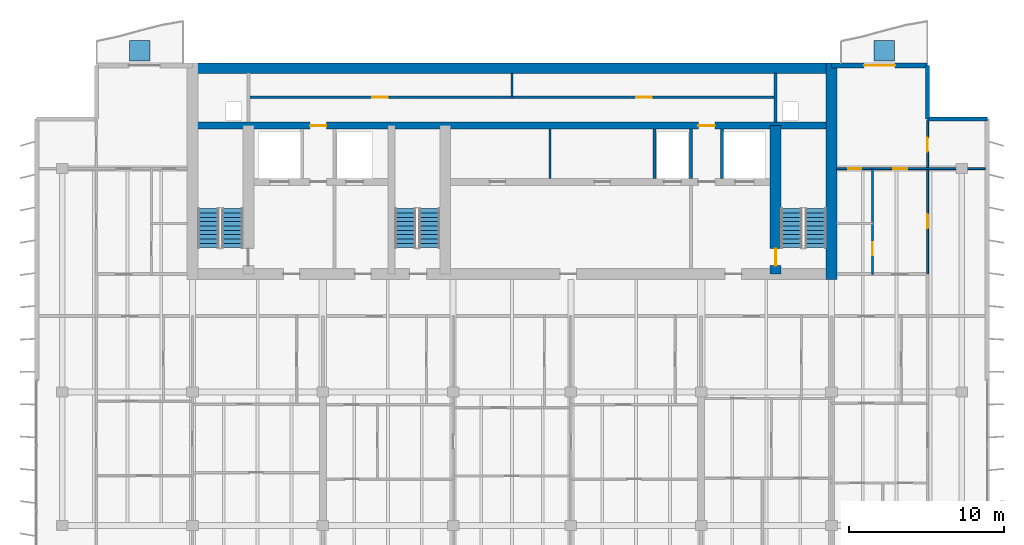
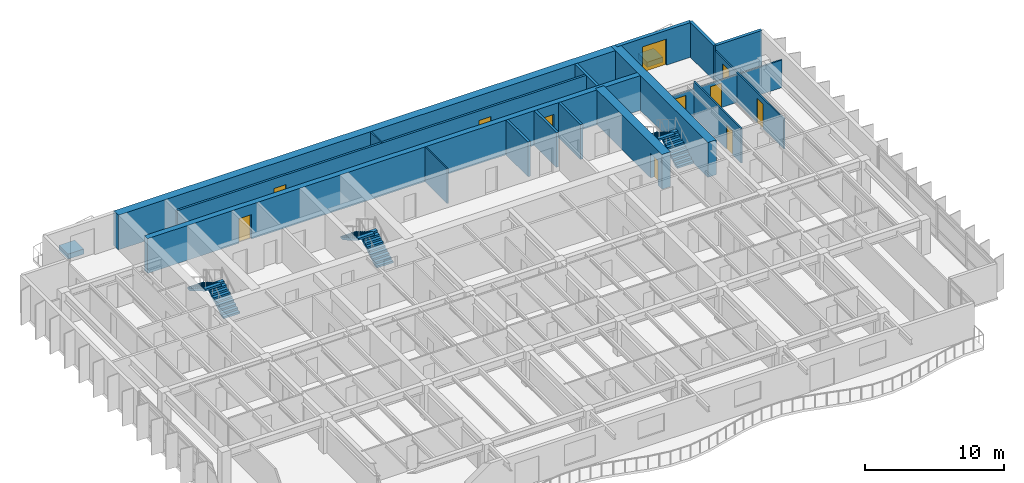
# One storey, part 12 of 17: 17 walls, 11 doors, 6 stair flights, 2 discrete accessories, 11 openings, 3 elements without a shape of their own.
"""IFC4 building model written with IfcOpenShell, lengths in metres."""

from ifc_helpers import new_model, si_unit, direction, frame, frame_2d, origin, origin_2d, place, context, subcontext, project, spatial, polyline, rectangle, outline, extrude, material, layer, layer_set, type_object, element, fill, aggregate, save


model = new_model("IFC4")

# Units and contexts
model_context = context("Model", 3, precision=1e-05, world=origin(), true_north=direction((0.0, 1.0)))
body_context = subcontext(model_context, "Body", "Model", "MODEL_VIEW")
ifc_project = project(units=[si_unit("LENGTHUNIT", "METRE"), si_unit("AREAUNIT", "SQUARE_METRE"), si_unit("VOLUMEUNIT", "CUBIC_METRE"), si_unit("PLANEANGLEUNIT", "RADIAN"), si_unit("MASSUNIT", "GRAM", prefix="KILO")], contexts=[model_context])

# Site, building, storey
site_placement = place(None, origin())
site = spatial("IfcSite", under=ifc_project, at=site_placement, CompositionType="ELEMENT")
building_placement = place(site_placement, origin())
building = spatial("IfcBuilding", under=site, at=building_placement, Name="Caelmar Bay Residences", CompositionType="ELEMENT")
storey_placement = place(building_placement, frame((0.0, 0.0, 259.5)))
storey = spatial("IfcBuildingStorey", under=building, at=storey_placement, Name="L73", CompositionType="ELEMENT", Elevation=259.5)

# Wall
ifc_material_1 = material(Name="Concrete f'c 55 MPa (8,000 psi)", Category="concrete")
ifc_layer_1 = layer(ifc_material_1, 0.699951171875)
ifc_layer_set_1 = layer_set([ifc_layer_1], Name="Concrete f'c 55 MPa (8,000 psi)")
wall_type_1 = type_object("IfcWallType", Name="SW-COR-700", PredefinedType="SHEAR", material=ifc_layer_set_1)
wall_1_placement = place(storey_placement, frame((59.5, 36.64990234375, 0.0), z_axis=(0.0, 0.0, 1.0), x_axis=(0.0, 1.0, 0.0)))
element("IfcWall", 1, at=wall_1_placement, inside=storey, type_object=wall_type_1, Name="L73 Rear Core East Shear Wall", PredefinedType="SHEAR", context=body_context, shape_type="SweptSolid", body=[
    extrude(rectangle(XDim=13.9501953125, YDim=0.699951171875, at=frame_2d((6.97509765625, 0.0))), origin(), (0.0, 0.0, 1.0), 3.050048828125),
])

# Wall, opening, door
wall_2_placement = place(storey_placement, frame((55.89990234375, 37.0, 0.0), z_axis=(0.0, 0.0, 1.0), x_axis=(0.0, 1.0, 0.0)))
wall_2 = element("IfcWall", 2, at=wall_2_placement, inside=storey, type_object=wall_type_1, Name="L73 Core Structural Web Wall ST2W", PredefinedType="SHEAR", context=body_context, shape_type="SweptSolid", body=[
    extrude(rectangle(XDim=9.574951171875, YDim=0.699951171875, at=frame_2d((4.78759765625, 0.0))), origin(), (0.0, 0.0, 1.0), 3.050048828125),
])
opening_1_placement = place(wall_2_placement, frame((0.550048828125, 0.0, 0.0)))
opening_1 = element("IfcOpeningElement", 3, at=opening_1_placement, cuts=wall_2, Name="Opening D-L73-110", PredefinedType="OPENING", context=body_context, shape_type="SweptSolid", body=[
    extrude(rectangle(XDim=1.10009765625, YDim=2.14990234375, at=frame_2d((0.550048828125, 1.074951171875))), frame((0.0, 0.35986328125, 0.0), z_axis=(0.0, -1.0, 0.0), x_axis=(1.0, 0.0, 0.0)), (0.0, 0.0, 1.0), 0.719970703125),
])
ifc_material_2 = material(Name="Fire-rated steel and walnut architectural door assembly", Category="steel")
ifc_layer_2 = layer(ifc_material_2, 0.050048828125)
ifc_layer_set_2 = layer_set([ifc_layer_2], Name="Fire-rated steel and walnut architectural door assembly")
door_type_1 = type_object("IfcDoorType", Name="D-STAIR-1100", OperationType="NOTDEFINED", PredefinedType="DOOR", material=ifc_layer_set_2)
door_1_placement = place(opening_1_placement, origin())
door_1 = element("IfcDoor", 4, at=door_1_placement, inside=storey, type_object=door_type_1, Name="L73 Firefighting Lobby East Door", OperationType="SINGLE_SWING_LEFT", OverallHeight=2.14990234375, OverallWidth=1.10009765625, PredefinedType="DOOR", context=body_context, shape_type="SweptSolid", body=[
    extrude(rectangle(XDim=1.10009765625, YDim=2.14990234375, at=frame_2d((0.550048828125, 1.074951171875))), frame((0.0, 0.02490234375, 0.0), z_axis=(0.0, -1.0, 0.0), x_axis=(1.0, 0.0, 0.0)), (0.0, 0.0, 1.0), 0.050048828125),
])
fill(opening_1, door_1)

# Wall
ifc_layer_3 = layer(ifc_material_1, 0.64990234375)
ifc_layer_set_3 = layer_set([ifc_layer_3], Name="Concrete f'c 55 MPa (8,000 psi)")
wall_type_2 = type_object("IfcWallType", Name="SW-CORN-650", PredefinedType="SHEAR", material=ifc_layer_set_3)
wall_3_placement = place(storey_placement, frame((17.949951171875, 50.27490234375, 0.0), z_axis=(0.0, 0.0, 1.0), x_axis=(1.0, 0.0, 0.0)))
element("IfcWall", 5, at=wall_3_placement, inside=storey, type_object=wall_type_2, Name="L73 Rear Core North Shear Wall", PredefinedType="SHEAR", context=body_context, shape_type="SweptSolid", body=[
    extrude(rectangle(XDim=41.900146484375, YDim=0.64990234375, at=frame_2d((20.9501953125, 0.0))), origin(), (0.0, 0.0, 1.0), 3.050048828125),
])

# Wall, openings, doors
ifc_material_3 = material(Name="Concrete f'c 70 MPa (10,000 psi)", Category="concrete")
ifc_layer_4 = layer(ifc_material_3, 0.449951171875)
ifc_layer_set_4 = layer_set([ifc_layer_4], Name="Concrete f'c 70 MPa (10,000 psi)")
wall_type_3 = type_object("IfcWallType", Name="SW-WEB-450", PredefinedType="SHEAR", material=ifc_layer_set_4)
wall_4_placement = place(storey_placement, frame((18.300048828125, 46.574951171875, 0.0), z_axis=(0.0, 0.0, 1.0), x_axis=(1.0, 0.0, 0.0)))
wall_4 = element("IfcWall", 6, at=wall_4_placement, inside=storey, type_object=wall_type_3, Name="L73 Core Structural Web Wall SRVS", PredefinedType="SHEAR", context=body_context, shape_type="SweptSolid", body=[
    extrude(rectangle(XDim=41.199951171875, YDim=0.449951171875, at=frame_2d((20.60009765625, 0.0))), origin(), (0.0, 0.0, 1.0), 3.050048828125),
])
opening_2_placement = place(wall_4_placement, frame((7.574951171875, 0.0, 0.0)))
opening_2 = element("IfcOpeningElement", 7, at=opening_2_placement, cuts=wall_4, Name="Opening D-L73-116", PredefinedType="OPENING", context=body_context, shape_type="SweptSolid", body=[
    extrude(rectangle(XDim=1.050048828125, YDim=2.14990234375, at=frame_2d((0.52490234375, 1.074951171875))), frame((0.0, 0.23486328125, 0.0), z_axis=(0.0, -1.0, 0.0), x_axis=(1.0, 0.0, 0.0)), (0.0, 0.0, 1.0), 0.469970703125),
])
opening_3_placement = place(wall_4_placement, frame((32.625, 0.0, 0.0)))
opening_3 = element("IfcOpeningElement", 8, at=opening_3_placement, cuts=wall_4, Name="Opening D-L73-117", PredefinedType="OPENING", context=body_context, shape_type="SweptSolid", body=[
    extrude(rectangle(XDim=1.050048828125, YDim=2.14990234375, at=frame_2d((0.52490234375, 1.074951171875))), frame((0.0, 0.23486328125, 0.0), z_axis=(0.0, -1.0, 0.0), x_axis=(1.0, 0.0, 0.0)), (0.0, 0.0, 1.0), 0.469970703125),
])
ifc_layer_5 = layer(ifc_material_2, 0.050048828125)
ifc_layer_set_5 = layer_set([ifc_layer_5], Name="Fire-rated steel and walnut architectural door assembly")
door_type_2 = type_object("IfcDoorType", Name="D-FSAE-1050", OperationType="NOTDEFINED", PredefinedType="DOOR", material=ifc_layer_set_5)
door_2_placement = place(opening_2_placement, origin())
door_2 = element("IfcDoor", 9, at=door_2_placement, inside=storey, type_object=door_type_2, Name="L73 Core Service Corridor Door", OperationType="SINGLE_SWING_LEFT", OverallHeight=2.14990234375, OverallWidth=1.050048828125, PredefinedType="DOOR", context=body_context, shape_type="SweptSolid", body=[
    extrude(rectangle(XDim=1.050048828125, YDim=2.14990234375, at=frame_2d((0.52490234375, 1.074951171875))), frame((0.0, 0.02490234375, 0.0), z_axis=(0.0, -1.0, 0.0), x_axis=(1.0, 0.0, 0.0)), (0.0, 0.0, 1.0), 0.050048828125),
])
fill(opening_2, door_2)
door_3_placement = place(opening_3_placement, origin())
door_3 = element("IfcDoor", 10, at=door_3_placement, inside=storey, type_object=door_type_2, Name="L73 Core Service Corridor Door", OperationType="SINGLE_SWING_RIGHT", OverallHeight=2.14990234375, OverallWidth=1.050048828125, PredefinedType="DOOR", context=body_context, shape_type="SweptSolid", body=[
    extrude(rectangle(XDim=1.050048828125, YDim=2.14990234375, at=frame_2d((0.52490234375, 1.074951171875))), frame((0.0, 0.02490234375, 0.0), z_axis=(0.0, -1.0, 0.0), x_axis=(1.0, 0.0, 0.0)), (0.0, 0.0, 1.0), 0.050048828125),
])
fill(opening_3, door_3)

ifc_material_4 = material(Name="Double-stud acoustic fire-rated gypsum partition 180 mm")
ifc_layer_6 = layer(ifc_material_4, 0.179931640625)
ifc_layer_set_6 = layer_set([ifc_layer_6], Name="Double-stud acoustic fire-rated gypsum partition 180 mm")
wall_type_4 = type_object("IfcWallType", Name="W-COR-200", PredefinedType="PARTITIONING", material=ifc_layer_set_6)
wall_5_placement = place(storey_placement, frame((21.89990234375, 48.39990234375, 0.0), z_axis=(0.0, 0.0, 1.0), x_axis=(1.0, 0.0, 0.0)))
wall_5 = element("IfcWall", 11, at=wall_5_placement, inside=storey, type_object=wall_type_4, Name="L73 Partition Wall H095", PredefinedType="PARTITIONING", context=body_context, shape_type="SweptSolid", body=[
    extrude(rectangle(XDim=34.0, YDim=0.179931640625, at=frame_2d((17.0, 0.0))), origin(), (0.0, 0.0, 1.0), 3.050048828125),
])
opening_4_placement = place(wall_5_placement, frame((8.0, 0.0, 0.0)))
opening_4 = element("IfcOpeningElement", 12, at=opening_4_placement, cuts=wall_5, Name="Opening D-L73-118", PredefinedType="OPENING", context=body_context, shape_type="SweptSolid", body=[
    extrude(rectangle(XDim=1.0, YDim=2.199951171875, at=frame_2d((0.5, 1.10009765625))), frame((0.0, 0.099853515625, 0.0), z_axis=(0.0, -1.0, 0.0), x_axis=(1.0, 0.0, 0.0)), (0.0, 0.0, 1.0), 0.199951171875),
])
opening_5_placement = place(wall_5_placement, frame((25.0, 0.0, 0.0)))
opening_5 = element("IfcOpeningElement", 13, at=opening_5_placement, cuts=wall_5, Name="Opening D-L73-119", PredefinedType="OPENING", context=body_context, shape_type="SweptSolid", body=[
    extrude(rectangle(XDim=1.0, YDim=2.199951171875, at=frame_2d((0.5, 1.10009765625))), frame((0.0, 0.099853515625, 0.0), z_axis=(0.0, -1.0, 0.0), x_axis=(1.0, 0.0, 0.0)), (0.0, 0.0, 1.0), 0.199951171875),
])
ifc_layer_7 = layer(ifc_material_2, 0.050048828125)
ifc_layer_set_7 = layer_set([ifc_layer_7], Name="Fire-rated steel and walnut architectural door assembly")
door_type_3 = type_object("IfcDoorType", Name="D-UNIT-1000", OperationType="NOTDEFINED", PredefinedType="DOOR", material=ifc_layer_set_7)
door_4_placement = place(opening_4_placement, origin())
door_4 = element("IfcDoor", 14, at=door_4_placement, inside=storey, type_object=door_type_3, Name="L73 Building Management Office Door", OperationType="SINGLE_SWING_LEFT", OverallHeight=2.199951171875, OverallWidth=1.0, PredefinedType="DOOR", context=body_context, shape_type="SweptSolid", body=[
    extrude(rectangle(XDim=1.0, YDim=2.199951171875, at=frame_2d((0.5, 1.10009765625))), frame((0.0, 0.02490234375, 0.0), z_axis=(0.0, -1.0, 0.0), x_axis=(1.0, 0.0, 0.0)), (0.0, 0.0, 1.0), 0.050048828125),
])
fill(opening_4, door_4)
door_5_placement = place(opening_5_placement, origin())
door_5 = element("IfcDoor", 15, at=door_5_placement, inside=storey, type_object=door_type_3, Name="L73 Concierge Operations Office Door", OperationType="SINGLE_SWING_RIGHT", OverallHeight=2.199951171875, OverallWidth=1.0, PredefinedType="DOOR", context=body_context, shape_type="SweptSolid", body=[
    extrude(rectangle(XDim=1.0, YDim=2.199951171875, at=frame_2d((0.5, 1.10009765625))), frame((0.0, 0.02490234375, 0.0), z_axis=(0.0, -1.0, 0.0), x_axis=(1.0, 0.0, 0.0)), (0.0, 0.0, 1.0), 0.050048828125),
])
fill(opening_5, door_5)

# Walls
ifc_material_5 = material(Name="Precast concrete f'c 40 MPa (6,000 psi)", Category="concrete")
ifc_layer_8 = layer(ifc_material_5, 0.25)
ifc_layer_set_8 = layer_set([ifc_layer_8], Name="Precast concrete f'c 40 MPa (6,000 psi)")
wall_type_5 = type_object("IfcWallType", Name="W-EXT-250", PredefinedType="ELEMENTEDWALL", material=ifc_layer_set_8)
wall_6_placement = place(storey_placement, frame((65.699951171875, 50.449951171875, 0.0), z_axis=(0.0, 0.0, 1.0), x_axis=(0.0, -1.0, 0.0)))
element("IfcWall", 16, at=wall_6_placement, inside=storey, type_object=wall_type_5, Name="L73 NNE-V Notch Wall", PredefinedType="ELEMENTEDWALL", context=body_context, shape_type="SweptSolid", body=[
    extrude(rectangle(XDim=3.449951171875, YDim=0.25, at=frame_2d((1.72509765625, 0.0))), origin(), (0.0, 0.0, 1.0), 3.050048828125),
])
wall_7_placement = place(storey_placement, frame((65.699951171875, 47.0, 0.0), z_axis=(0.0, 0.0, 1.0), x_axis=(1.0, 0.0, 0.0)))
element("IfcWall", 17, at=wall_7_placement, inside=storey, type_object=wall_type_5, Name="L73 NNE-H Notch Wall", PredefinedType="ELEMENTEDWALL", context=body_context, shape_type="SweptSolid", body=[
    extrude(rectangle(XDim=3.85009765625, YDim=0.25, at=frame_2d((1.925048828125, 0.0))), origin(), (0.0, 0.0, 1.0), 3.050048828125),
])

# Wall, opening, door
ifc_layer_9 = layer(ifc_material_5, 0.300048828125)
ifc_layer_set_9 = layer_set([ifc_layer_9], Name="Precast concrete f'c 40 MPa (6,000 psi)")
wall_type_6 = type_object("IfcWallType", Name="W-EXT-300", PredefinedType="STANDARD", material=ifc_layer_set_9)
wall_8_placement = place(storey_placement, frame((59.5, 50.449951171875, 0.0), z_axis=(0.0, 0.0, 1.0), x_axis=(1.0, 0.0, 0.0)))
wall_8 = element("IfcWall", 18, at=wall_8_placement, inside=storey, type_object=wall_type_6, Name="L73 North-East Wing Exterior Wall", PredefinedType="STANDARD", context=body_context, shape_type="SweptSolid", body=[
    extrude(rectangle(XDim=6.199951171875, YDim=0.300048828125, at=frame_2d((3.10009765625, 0.0))), origin(), (0.0, 0.0, 1.0), 3.050048828125),
])
opening_6_placement = place(wall_8_placement, frame((2.10009765625, 0.0, 0.0)))
opening_6 = element("IfcOpeningElement", 19, at=opening_6_placement, cuts=wall_8, Name="Opening L73-BDNE", PredefinedType="OPENING", context=body_context, shape_type="SweptSolid", body=[
    extrude(rectangle(XDim=2.0, YDim=2.300048828125, at=frame_2d((1.0, 1.14990234375))), frame((0.0, 0.159912109375, 0.0), z_axis=(0.0, -1.0, 0.0), x_axis=(1.0, 0.0, 0.0)), (0.0, 0.0, 1.0), 0.320068359375),
])
ifc_material_6 = material(Name="Anodised bronze thermally broken sliding glass door", Category="glass")
ifc_layer_10 = layer(ifc_material_6, 0.050048828125)
ifc_layer_set_10 = layer_set([ifc_layer_10], Name="Anodised bronze thermally broken sliding glass door")
door_type_4 = type_object("IfcDoorType", Name="D-BAL-2000", OperationType="DOUBLE_DOOR_SLIDING", PredefinedType="DOOR", material=ifc_layer_set_10)
door_6_placement = place(opening_6_placement, origin())
door_6 = element("IfcDoor", 20, at=door_6_placement, inside=storey, type_object=door_type_4, Name="L73 North-East Balcony Door", OperationType="DOUBLE_DOOR_SLIDING", OverallHeight=2.300048828125, OverallWidth=2.0, PredefinedType="DOOR", context=body_context, shape_type="SweptSolid", body=[
    extrude(rectangle(XDim=2.0, YDim=2.300048828125, at=frame_2d((1.0, 1.14990234375))), frame((0.0, 0.02490234375, 0.0), z_axis=(0.0, -1.0, 0.0), x_axis=(1.0, 0.0, 0.0)), (0.0, 0.0, 1.0), 0.050048828125),
])
fill(opening_6, door_6)

# Walls
ifc_material_7 = material(Name="Fire-rated masonry and gypsum shaftliner assembly 200 mm", Category="masonry")
ifc_layer_11 = layer(ifc_material_7, 0.199951171875)
ifc_layer_set_11 = layer_set([ifc_layer_11], Name="Fire-rated masonry and gypsum shaftliner assembly 200 mm")
wall_type_7 = type_object("IfcWallType", Name="W-FSAE-200", PredefinedType="PARTITIONING", material=ifc_layer_set_11)
for number, where, z_axis, x_axis, name in (
    (21, (48.10009765625, 43.169921875, 0.0), (0.0, 0.0, 1.0), (0.0, 1.0, 0.0), "L73 Partition Wall V039"),
    (22, (50.449951171875, 43.169921875, 0.0), (0.0, 0.0, 1.0), (0.0, 1.0, 0.0), "L73 Partition Wall V042"),
    (23, (52.449951171875, 43.169921875, 0.0), (0.0, 0.0, 1.0), (0.0, 1.0, 0.0), "L73 Partition Wall V046"),
):
    element("IfcWall", number, at=place(storey_placement, frame(where, z_axis=z_axis, x_axis=x_axis)), inside=storey, type_object=wall_type_7, Name=name, PredefinedType="PARTITIONING", context=body_context, shape_type="SweptSolid", body=[
        extrude(rectangle(XDim=3.18505859375, YDim=0.199951171875, at=frame_2d((1.592529296875, 0.0))), origin(), (0.0, 0.0, 1.0), 3.050048828125),
    ])
wall_9_placement = place(storey_placement, frame((55.89990234375, 46.794921875, 0.0), z_axis=(0.0, 0.0, 1.0), x_axis=(0.0, 1.0, 0.0)))
element("IfcWall", 24, at=wall_9_placement, inside=storey, type_object=wall_type_7, Name="L73 Partition Wall V052", PredefinedType="PARTITIONING", context=body_context, shape_type="SweptSolid", body=[
    extrude(rectangle(XDim=3.16015625, YDim=0.199951171875, at=frame_2d((1.580078125, 0.0))), origin(), (0.0, 0.0, 1.0), 3.050048828125),
])
ifc_material_8 = material(Name="Anodised bronze framed acoustic sliding study partition 100 mm")
ifc_layer_12 = layer(ifc_material_8, 0.10009765625)
ifc_layer_set_12 = layer_set([ifc_layer_12], Name="Anodised bronze framed acoustic sliding study partition 100 mm")
wall_type_8 = type_object("IfcWallType", Name="W-MOV-100", PredefinedType="MOVABLE", material=ifc_layer_set_12)
wall_10_placement = place(storey_placement, frame((41.35009765625, 43.169921875, 0.0), z_axis=(0.0, 0.0, 1.0), x_axis=(0.0, 1.0, 0.0)))
element("IfcWall", 25, at=wall_10_placement, inside=storey, type_object=wall_type_8, Name="L73 Partition Wall V033", PredefinedType="MOVABLE", context=body_context, shape_type="SweptSolid", body=[
    extrude(rectangle(XDim=3.18505859375, YDim=0.10009765625, at=frame_2d((1.592529296875, 0.0))), origin(), (0.0, 0.0, 1.0), 3.050048828125),
])
ifc_material_9 = material(Name="Acoustic metal-stud gypsum partition 120 mm")
ifc_layer_13 = layer(ifc_material_9, 0.1201171875)
ifc_layer_set_13 = layer_set([ifc_layer_13], Name="Acoustic metal-stud gypsum partition 120 mm")
wall_type_9 = type_object("IfcWallType", Name="W-PRT-120", PredefinedType="PARTITIONING", material=ifc_layer_set_13)
wall_11_placement = place(storey_placement, frame((38.89990234375, 48.39990234375, 0.0), z_axis=(0.0, 0.0, 1.0), x_axis=(0.0, 1.0, 0.0)))
element("IfcWall", 26, at=wall_11_placement, inside=storey, type_object=wall_type_9, Name="L73 Partition Wall V030", PredefinedType="PARTITIONING", context=body_context, shape_type="SweptSolid", body=[
    extrude(rectangle(XDim=1.55517578125, YDim=0.1201171875, at=frame_2d((0.777587890625, 0.0))), origin(), (0.0, 0.0, 1.0), 3.050048828125),
])

# Wall, opening, door
wall_12_placement = place(storey_placement, frame((62.14990234375, 37.0, 0.0), z_axis=(0.0, 0.0, 1.0), x_axis=(0.0, 1.0, 0.0)))
wall_12 = element("IfcWall", 27, at=wall_12_placement, inside=storey, type_object=wall_type_9, Name="L73 Partition Wall V059", PredefinedType="PARTITIONING", context=body_context, shape_type="SweptSolid", body=[
    extrude(rectangle(XDim=6.800048828125, YDim=0.1201171875, at=frame_2d((3.39990234375, 0.0))), origin(), (0.0, 0.0, 1.0), 3.050048828125),
])
opening_7_placement = place(wall_12_placement, frame((1.20703125, 0.0, 0.0)))
opening_7 = element("IfcOpeningElement", 28, at=opening_7_placement, cuts=wall_12, Name="Opening D-L73-166", PredefinedType="OPENING", context=body_context, shape_type="SweptSolid", body=[
    extrude(rectangle(XDim=0.85009765625, YDim=2.10009765625, at=frame_2d((0.425048828125, 1.050048828125))), frame((0.0, 0.070068359375, 0.0), z_axis=(0.0, -1.0, 0.0), x_axis=(1.0, 0.0, 0.0)), (0.0, 0.0, 1.0), 0.14013671875),
])
ifc_material_10 = material(Name="Solid walnut timber interior door leaf and frame", Category="wood")
ifc_layer_14 = layer(ifc_material_10, 0.050048828125)
ifc_layer_set_14 = layer_set([ifc_layer_14], Name="Solid walnut timber interior door leaf and frame")
door_type_5 = type_object("IfcDoorType", Name="D-BATH-850", OperationType="NOTDEFINED", PredefinedType="DOOR", material=ifc_layer_set_14)
door_7_placement = place(opening_7_placement, origin())
door_7 = element("IfcDoor", 29, at=door_7_placement, inside=storey, type_object=door_type_5, Name="L73 Residence EA Walk-In Closet Door", OperationType="SINGLE_SWING_LEFT", OverallHeight=2.10009765625, OverallWidth=0.85009765625, PredefinedType="DOOR", context=body_context, shape_type="SweptSolid", body=[
    extrude(rectangle(XDim=0.85009765625, YDim=2.10009765625, at=frame_2d((0.425048828125, 1.050048828125))), frame((0.0, 0.02490234375, 0.0), z_axis=(0.0, -1.0, 0.0), x_axis=(1.0, 0.0, 0.0)), (0.0, 0.0, 1.0), 0.050048828125),
])
fill(opening_7, door_7)

# Wall, openings, doors
wall_13_placement = place(storey_placement, frame((65.699951171875, 37.0048828125, 0.0), z_axis=(0.0, 0.0, 1.0), x_axis=(0.0, 1.0, 0.0)))
wall_13 = element("IfcWall", 30, at=wall_13_placement, inside=storey, type_object=wall_type_9, Name="L73 Partition Wall V068", PredefinedType="PARTITIONING", context=body_context, shape_type="SweptSolid", body=[
    extrude(rectangle(XDim=9.875, YDim=0.1201171875, at=frame_2d((4.9375, 0.0))), origin(), (0.0, 0.0, 1.0), 2.62890625),
])
opening_8_placement = place(wall_13_placement, frame((2.947509765625, 0.0, 0.0)))
opening_8 = element("IfcOpeningElement", 31, at=opening_8_placement, cuts=wall_13, Name="Opening D-L73-168", PredefinedType="OPENING", context=body_context, shape_type="SweptSolid", body=[
    extrude(rectangle(XDim=0.89990234375, YDim=2.14990234375, at=frame_2d((0.449951171875, 1.074951171875))), frame((0.0, 0.070068359375, 0.0), z_axis=(0.0, -1.0, 0.0), x_axis=(1.0, 0.0, 0.0)), (0.0, 0.0, 1.0), 0.14013671875),
])
opening_9_placement = place(wall_13_placement, frame((7.885009765625, 0.0, 0.0)))
opening_9 = element("IfcOpeningElement", 32, at=opening_9_placement, cuts=wall_13, Name="Opening D-L73-169", PredefinedType="OPENING", context=body_context, shape_type="SweptSolid", body=[
    extrude(rectangle(XDim=0.89990234375, YDim=2.14990234375, at=frame_2d((0.449951171875, 1.074951171875))), frame((0.0, 0.070068359375, 0.0), z_axis=(0.0, -1.0, 0.0), x_axis=(1.0, 0.0, 0.0)), (0.0, 0.0, 1.0), 0.14013671875),
])
ifc_layer_15 = layer(ifc_material_10, 0.050048828125)
ifc_layer_set_15 = layer_set([ifc_layer_15], Name="Solid walnut timber interior door leaf and frame")
door_type_6 = type_object("IfcDoorType", Name="D-ROOM-900", OperationType="NOTDEFINED", PredefinedType="DOOR", material=ifc_layer_set_15)
door_8_placement = place(opening_8_placement, origin())
door_8 = element("IfcDoor", 33, at=door_8_placement, inside=storey, type_object=door_type_6, Name="L73 Residence EA Sun Study Door", OperationType="SINGLE_SWING_LEFT", OverallHeight=2.14990234375, OverallWidth=0.89990234375, PredefinedType="DOOR", context=body_context, shape_type="SweptSolid", body=[
    extrude(rectangle(XDim=0.89990234375, YDim=2.14990234375, at=frame_2d((0.449951171875, 1.074951171875))), frame((0.0, 0.02490234375, 0.0), z_axis=(0.0, -1.0, 0.0), x_axis=(1.0, 0.0, 0.0)), (0.0, 0.0, 1.0), 0.050048828125),
])
fill(opening_8, door_8)
door_9_placement = place(opening_9_placement, origin())
door_9 = element("IfcDoor", 34, at=door_9_placement, inside=storey, type_object=door_type_6, Name="L73 Residence EA North Sitting Alcove Door", OperationType="SINGLE_SWING_RIGHT", OverallHeight=2.14990234375, OverallWidth=0.89990234375, PredefinedType="DOOR", context=body_context, shape_type="SweptSolid", body=[
    extrude(rectangle(XDim=0.89990234375, YDim=2.14990234375, at=frame_2d((0.449951171875, 1.074951171875))), frame((0.0, 0.02490234375, 0.0), z_axis=(0.0, -1.0, 0.0), x_axis=(1.0, 0.0, 0.0)), (0.0, 0.0, 1.0), 0.050048828125),
])
fill(opening_9, door_9)

wall_14_placement = place(storey_placement, frame((59.844970703125, 43.800048828125, 0.0), z_axis=(0.0, 0.0, 1.0), x_axis=(1.0, 0.0, 0.0)))
wall_14 = element("IfcWall", 35, at=wall_14_placement, inside=storey, type_object=wall_type_9, Name="L73 Partition Wall H094", PredefinedType="PARTITIONING", context=body_context, shape_type="SweptSolid", body=[
    extrude(rectangle(XDim=9.56005859375, YDim=0.1201171875, at=frame_2d((4.780029296875, 0.0))), origin(), (0.0, 0.0, 1.0), 2.41796875),
])
opening_10_placement = place(wall_14_placement, frame((3.6298828125, 0.0, 0.0)))
opening_10 = element("IfcOpeningElement", 36, at=opening_10_placement, cuts=wall_14, Name="Opening D-L73-165", PredefinedType="OPENING", context=body_context, shape_type="SweptSolid", body=[
    extrude(rectangle(XDim=0.89990234375, YDim=2.14990234375, at=frame_2d((0.449951171875, 1.074951171875))), frame((0.0, 0.070068359375, 0.0), z_axis=(0.0, -1.0, 0.0), x_axis=(1.0, 0.0, 0.0)), (0.0, 0.0, 1.0), 0.14013671875),
])
opening_11_placement = place(wall_14_placement, frame((0.7275390625, 0.0, 0.0)))
opening_11 = element("IfcOpeningElement", 37, at=opening_11_placement, cuts=wall_14, Name="Opening D-L73-167", PredefinedType="OPENING", context=body_context, shape_type="SweptSolid", body=[
    extrude(rectangle(XDim=0.85009765625, YDim=2.10009765625, at=frame_2d((0.425048828125, 1.050048828125))), frame((0.0, 0.070068359375, 0.0), z_axis=(0.0, -1.0, 0.0), x_axis=(1.0, 0.0, 0.0)), (0.0, 0.0, 1.0), 0.14013671875),
])
door_10_placement = place(opening_11_placement, origin())
door_10 = element("IfcDoor", 38, at=door_10_placement, inside=storey, type_object=door_type_5, Name="L73 Residence EA Bathroom Door", OperationType="SINGLE_SWING_RIGHT", OverallHeight=2.10009765625, OverallWidth=0.85009765625, PredefinedType="DOOR", context=body_context, shape_type="SweptSolid", body=[
    extrude(rectangle(XDim=0.85009765625, YDim=2.10009765625, at=frame_2d((0.425048828125, 1.050048828125))), frame((0.0, 0.02490234375, 0.0), z_axis=(0.0, -1.0, 0.0), x_axis=(1.0, 0.0, 0.0)), (0.0, 0.0, 1.0), 0.050048828125),
])
fill(opening_11, door_10)
door_11_placement = place(opening_10_placement, origin())
door_11 = element("IfcDoor", 39, at=door_11_placement, inside=storey, type_object=door_type_6, Name="L73 Residence EA Studio Living and Sleeping Room Door", OperationType="SINGLE_SWING_RIGHT", OverallHeight=2.14990234375, OverallWidth=0.89990234375, PredefinedType="DOOR", context=body_context, shape_type="SweptSolid", body=[
    extrude(rectangle(XDim=0.89990234375, YDim=2.14990234375, at=frame_2d((0.449951171875, 1.074951171875))), frame((0.0, 0.02490234375, 0.0), z_axis=(0.0, -1.0, 0.0), x_axis=(1.0, 0.0, 0.0)), (0.0, 0.0, 1.0), 0.050048828125),
])
fill(opening_10, door_11)

# Stair, stair flights
ifc_material_11 = material(Name="Concrete f'c 40 MPa (6,000 psi)", Category="concrete")
stair_type = type_object("IfcStairType", Name="ST-TYP-165", PredefinedType="HALF_TURN_STAIR", material=ifc_material_11)
stair_1_placement = place(storey_placement, origin())
stair_1 = element("IfcStair", 40, at=stair_1_placement, inside=storey, type_object=stair_type, Name="L73 West Smokeproof Exit Stair ST1", PredefinedType="HALF_TURN_STAIR")
stair_flight_type = type_object("IfcStairFlightType", Name="STF-1350", PredefinedType="STRAIGHT", material=ifc_material_11)
stair_flight_1_placement = place(storey_placement, frame((20.875, 38.699951171875, 0.0), z_axis=(0.0, 0.0, 1.0), x_axis=(0.0, 1.0, 0.0)))
stair_flight_1 = element("IfcStairFlight", 41, at=stair_flight_1_placement, type_object=stair_flight_type, Name="ST1 flight 1", NumberOfRisers=10, NumberOfTreads=9, PredefinedType="STRAIGHT", RiserHeight=0.165, TreadLength=0.28, context=body_context, shape_type="SweptSolid", body=[
    extrude(outline(polyline([(0.0, 0.0), (0.0, 0.1650390625), (0.280029296875, 0.1650390625), (0.280029296875, 0.330078125), (0.56005859375, 0.330078125), (0.56005859375, 0.4951171875), (0.840087890625, 0.4951171875), (0.840087890625, 0.659912109375), (1.1201171875, 0.659912109375), (1.1201171875, 0.824951171875), (1.39990234375, 0.824951171875), (1.39990234375, 0.989990234375), (1.679931640625, 0.989990234375), (1.679931640625, 1.155029296875), (1.9599609375, 1.155029296875), (1.9599609375, 1.320068359375), (2.239990234375, 1.320068359375), (2.239990234375, 1.485107421875), (2.52001953125, 1.485107421875), (2.52001953125, 1.64990234375), (2.52001953125, 1.31103515625), (0.295166015625, 0.0), (0.0, 0.0)])), frame((0.0, 0.675048828125, 0.0), z_axis=(0.0, -1.0, 0.0), x_axis=(1.0, 0.0, 0.0)), (0.0, 0.0, 1.0), 1.35009765625),
])
stair_flight_2_placement = place(storey_placement, frame((19.324951171875, 41.219970703125, 1.64990234375), z_axis=(0.0, 0.0, 1.0), x_axis=(0.0, -1.0, 0.0)))
stair_flight_2 = element("IfcStairFlight", 42, at=stair_flight_2_placement, type_object=stair_flight_type, Name="ST1 flight 2", NumberOfRisers=10, NumberOfTreads=9, PredefinedType="STRAIGHT", RiserHeight=0.165, TreadLength=0.28, context=body_context, shape_type="SweptSolid", body=[
    extrude(outline(polyline([(0.0, 0.0), (0.0, 0.1650390625), (0.280029296875, 0.1650390625), (0.280029296875, 0.330078125), (0.56005859375, 0.330078125), (0.56005859375, 0.4951171875), (0.840087890625, 0.4951171875), (0.840087890625, 0.659912109375), (1.1201171875, 0.659912109375), (1.1201171875, 0.824951171875), (1.39990234375, 0.824951171875), (1.39990234375, 0.989990234375), (1.679931640625, 0.989990234375), (1.679931640625, 1.155029296875), (1.9599609375, 1.155029296875), (1.9599609375, 1.320068359375), (2.239990234375, 1.320068359375), (2.239990234375, 1.485107421875), (2.52001953125, 1.485107421875), (2.52001953125, 1.64990234375), (2.52001953125, 1.31103515625), (0.295166015625, 0.0), (0.0, 0.0)])), frame((0.0, 0.675048828125, 0.0), z_axis=(0.0, -1.0, 0.0), x_axis=(1.0, 0.0, 0.0)), (0.0, 0.0, 1.0), 1.35009765625),
])
aggregate(stair_1, [stair_flight_1, stair_flight_2])

stair_2_placement = place(storey_placement, origin())
stair_2 = element("IfcStair", 43, at=stair_2_placement, inside=storey, type_object=stair_type, Name="L73 East Smokeproof Exit Stair ST2", PredefinedType="HALF_TURN_STAIR")
stair_flight_3_placement = place(storey_placement, frame((58.47509765625, 38.699951171875, 0.0), z_axis=(0.0, 0.0, 1.0), x_axis=(0.0, 1.0, 0.0)))
stair_flight_3 = element("IfcStairFlight", 44, at=stair_flight_3_placement, type_object=stair_flight_type, Name="ST2 flight 1", NumberOfRisers=10, NumberOfTreads=9, PredefinedType="STRAIGHT", RiserHeight=0.165, TreadLength=0.28, context=body_context, shape_type="SweptSolid", body=[
    extrude(outline(polyline([(0.0, 0.0), (0.0, 0.1650390625), (0.280029296875, 0.1650390625), (0.280029296875, 0.330078125), (0.56005859375, 0.330078125), (0.56005859375, 0.4951171875), (0.840087890625, 0.4951171875), (0.840087890625, 0.659912109375), (1.1201171875, 0.659912109375), (1.1201171875, 0.824951171875), (1.39990234375, 0.824951171875), (1.39990234375, 0.989990234375), (1.679931640625, 0.989990234375), (1.679931640625, 1.155029296875), (1.9599609375, 1.155029296875), (1.9599609375, 1.320068359375), (2.239990234375, 1.320068359375), (2.239990234375, 1.485107421875), (2.52001953125, 1.485107421875), (2.52001953125, 1.64990234375), (2.52001953125, 1.31103515625), (0.295166015625, 0.0), (0.0, 0.0)])), frame((0.0, 0.675048828125, 0.0), z_axis=(0.0, -1.0, 0.0), x_axis=(1.0, 0.0, 0.0)), (0.0, 0.0, 1.0), 1.35009765625),
])
stair_flight_4_placement = place(storey_placement, frame((56.925048828125, 41.219970703125, 1.64990234375), z_axis=(0.0, 0.0, 1.0), x_axis=(0.0, -1.0, 0.0)))
stair_flight_4 = element("IfcStairFlight", 45, at=stair_flight_4_placement, type_object=stair_flight_type, Name="ST2 flight 2", NumberOfRisers=10, NumberOfTreads=9, PredefinedType="STRAIGHT", RiserHeight=0.165, TreadLength=0.28, context=body_context, shape_type="SweptSolid", body=[
    extrude(outline(polyline([(0.0, 0.0), (0.0, 0.1650390625), (0.280029296875, 0.1650390625), (0.280029296875, 0.330078125), (0.56005859375, 0.330078125), (0.56005859375, 0.4951171875), (0.840087890625, 0.4951171875), (0.840087890625, 0.659912109375), (1.1201171875, 0.659912109375), (1.1201171875, 0.824951171875), (1.39990234375, 0.824951171875), (1.39990234375, 0.989990234375), (1.679931640625, 0.989990234375), (1.679931640625, 1.155029296875), (1.9599609375, 1.155029296875), (1.9599609375, 1.320068359375), (2.239990234375, 1.320068359375), (2.239990234375, 1.485107421875), (2.52001953125, 1.485107421875), (2.52001953125, 1.64990234375), (2.52001953125, 1.31103515625), (0.295166015625, 0.0), (0.0, 0.0)])), frame((0.0, 0.675048828125, 0.0), z_axis=(0.0, -1.0, 0.0), x_axis=(1.0, 0.0, 0.0)), (0.0, 0.0, 1.0), 1.35009765625),
])
aggregate(stair_2, [stair_flight_3, stair_flight_4])

stair_3_placement = place(storey_placement, origin())
stair_3 = element("IfcStair", 46, at=stair_3_placement, inside=storey, type_object=stair_type, Name="L73 Central Smokeproof Exit Stair ST3", PredefinedType="HALF_TURN_STAIR")
stair_flight_5_placement = place(storey_placement, frame((33.574951171875, 38.699951171875, 0.0), z_axis=(0.0, 0.0, 1.0), x_axis=(0.0, 1.0, 0.0)))
stair_flight_5 = element("IfcStairFlight", 47, at=stair_flight_5_placement, type_object=stair_flight_type, Name="ST3 flight 1", NumberOfRisers=10, NumberOfTreads=9, PredefinedType="STRAIGHT", RiserHeight=0.165, TreadLength=0.28, context=body_context, shape_type="SweptSolid", body=[
    extrude(outline(polyline([(0.0, 0.0), (0.0, 0.1650390625), (0.280029296875, 0.1650390625), (0.280029296875, 0.330078125), (0.56005859375, 0.330078125), (0.56005859375, 0.4951171875), (0.840087890625, 0.4951171875), (0.840087890625, 0.659912109375), (1.1201171875, 0.659912109375), (1.1201171875, 0.824951171875), (1.39990234375, 0.824951171875), (1.39990234375, 0.989990234375), (1.679931640625, 0.989990234375), (1.679931640625, 1.155029296875), (1.9599609375, 1.155029296875), (1.9599609375, 1.320068359375), (2.239990234375, 1.320068359375), (2.239990234375, 1.485107421875), (2.52001953125, 1.485107421875), (2.52001953125, 1.64990234375), (2.52001953125, 1.31103515625), (0.295166015625, 0.0), (0.0, 0.0)])), frame((0.0, 0.675048828125, 0.0), z_axis=(0.0, -1.0, 0.0), x_axis=(1.0, 0.0, 0.0)), (0.0, 0.0, 1.0), 1.35009765625),
])
stair_flight_6_placement = place(storey_placement, frame((32.02490234375, 41.219970703125, 1.64990234375), z_axis=(0.0, 0.0, 1.0), x_axis=(0.0, -1.0, 0.0)))
stair_flight_6 = element("IfcStairFlight", 48, at=stair_flight_6_placement, type_object=stair_flight_type, Name="ST3 flight 2", NumberOfRisers=10, NumberOfTreads=9, PredefinedType="STRAIGHT", RiserHeight=0.165, TreadLength=0.28, context=body_context, shape_type="SweptSolid", body=[
    extrude(outline(polyline([(0.0, 0.0), (0.0, 0.1650390625), (0.280029296875, 0.1650390625), (0.280029296875, 0.330078125), (0.56005859375, 0.330078125), (0.56005859375, 0.4951171875), (0.840087890625, 0.4951171875), (0.840087890625, 0.659912109375), (1.1201171875, 0.659912109375), (1.1201171875, 0.824951171875), (1.39990234375, 0.824951171875), (1.39990234375, 0.989990234375), (1.679931640625, 0.989990234375), (1.679931640625, 1.155029296875), (1.9599609375, 1.155029296875), (1.9599609375, 1.320068359375), (2.239990234375, 1.320068359375), (2.239990234375, 1.485107421875), (2.52001953125, 1.485107421875), (2.52001953125, 1.64990234375), (2.52001953125, 1.31103515625), (0.295166015625, 0.0), (0.0, 0.0)])), frame((0.0, 0.675048828125, 0.0), z_axis=(0.0, -1.0, 0.0), x_axis=(1.0, 0.0, 0.0)), (0.0, 0.0, 1.0), 1.35009765625),
])
aggregate(stair_3, [stair_flight_5, stair_flight_6])

# Discrete accessories
discrete_accessory_type = type_object("IfcDiscreteAccessoryType", Name="STR-PLANTER-KERB-450", PredefinedType="USERDEFINED", material=ifc_material_5)
for number, where, z_axis, x_axis, name in (
    (49, (14.89990234375, 51.39990234375, 0.0), (0.0, 0.0, 1.0), (1.0, 0.0, 0.0), "L73 north_west Structural Tree Planter Kerb"),
    (50, (62.89990234375, 51.39990234375, 0.0), (0.0, 0.0, 1.0), (1.0, 0.0, 0.0), "L73 north_east Structural Tree Planter Kerb"),
):
    element("IfcDiscreteAccessory", number, at=place(storey_placement, frame(where, z_axis=z_axis, x_axis=x_axis)), inside=storey, type_object=discrete_accessory_type, Name=name, ObjectType="PLANTER", PredefinedType="USERDEFINED", context=body_context, shape_type="SweptSolid", body=[
        extrude(rectangle(XDim=1.300048828125, YDim=1.300048828125, at=origin_2d()), origin(), (0.0, 0.0, 1.0), 0.449951171875),
    ])

save(model, "model.ifc")
